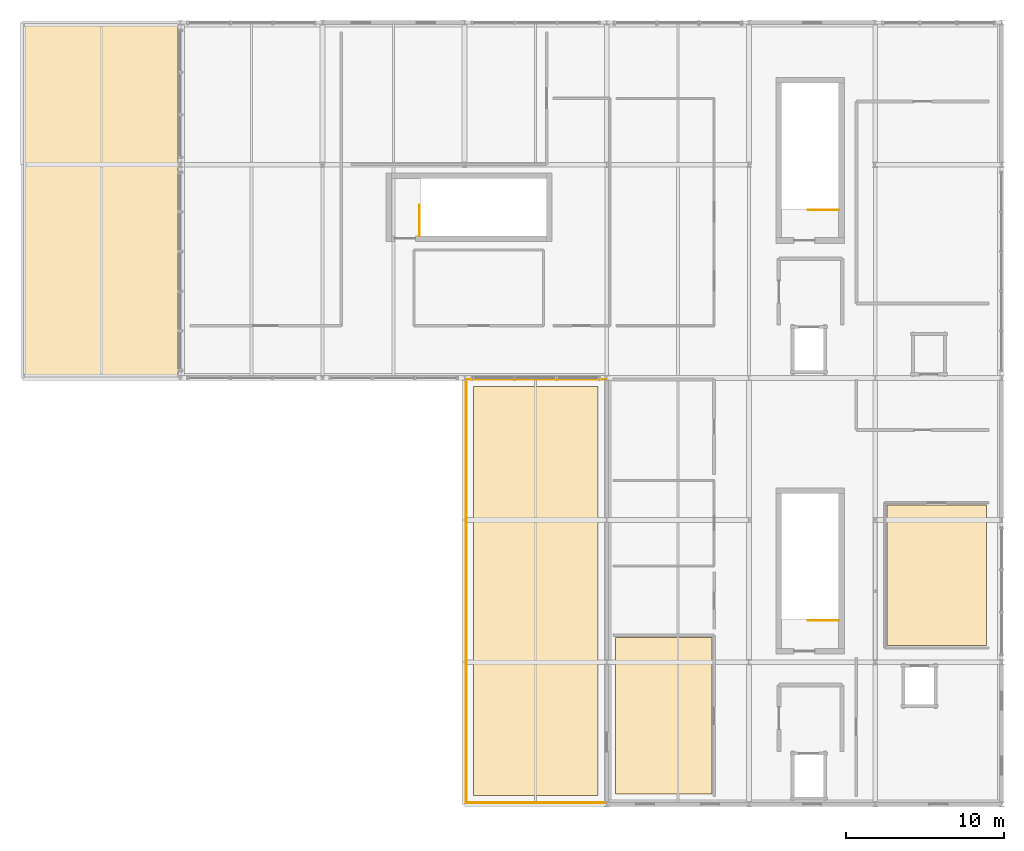
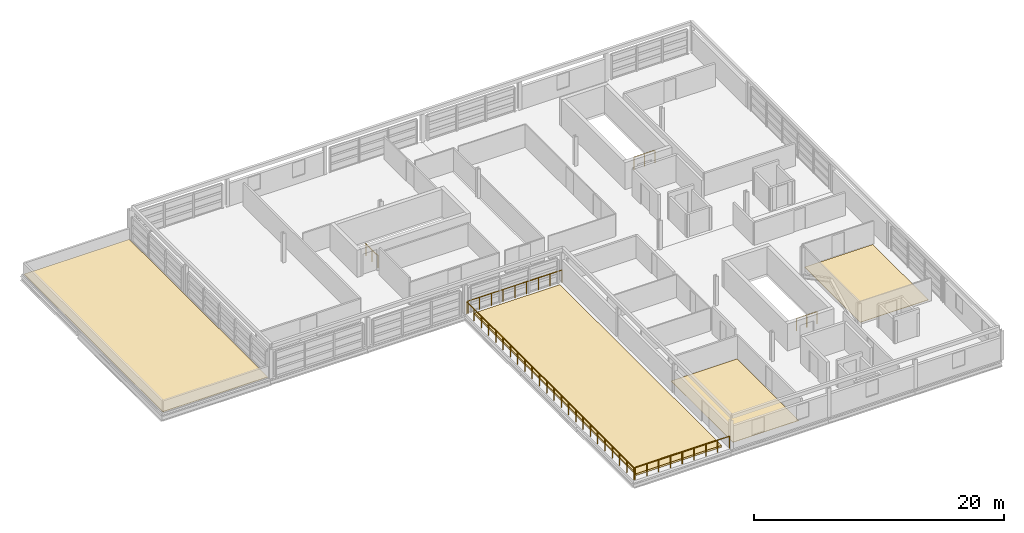
# One storey, part 27 of 27: 6 railings, 4 coverings.
"""IFC4 building model written with IfcOpenShell, lengths in metres."""

from ifc_helpers import new_model, si_unit, direction, frame, origin, origin_2d, place, context, subcontext, project, spatial, polyline, circle, outline, extrude, material, layer, layer_set, type_object, element, save


model = new_model("IFC4")

# Units and contexts
model_context = context("Model", 3, precision=1e-05, world=origin(), true_north=direction((0.0, 1.0)))
body_context = subcontext(model_context, "Body", "Model", "MODEL_VIEW")
ifc_project = project(units=[si_unit("LENGTHUNIT", "METRE"), si_unit("AREAUNIT", "SQUARE_METRE"), si_unit("VOLUMEUNIT", "CUBIC_METRE"), si_unit("PLANEANGLEUNIT", "RADIAN"), si_unit("MASSUNIT", "GRAM", prefix="KILO")], contexts=[model_context])

# Site, building, storey
site_placement = place(None, origin())
site = spatial("IfcSite", under=ifc_project, at=site_placement, CompositionType="ELEMENT")
building_placement = place(site_placement, origin())
building = spatial("IfcBuilding", under=site, at=building_placement, Name="Chuanluo Vaults Station", CompositionType="ELEMENT")
storey_placement = place(building_placement, frame((0.0, 0.0, 20.800048828125)))
storey = spatial("IfcBuildingStorey", under=building, at=storey_placement, Name="L05", CompositionType="ELEMENT", Elevation=20.800048828125)

# Coverings
ifc_material_1 = material(Name="Granite stone flooring", Category="masonry")
ifc_layer_1 = layer(ifc_material_1, 0.034912109375)
ifc_layer_set_1 = layer_set([ifc_layer_1], Name="Granite stone flooring")
covering_type_1 = type_object("IfcCoveringType", Name="COV-FLOR-GRAN", PredefinedType="FLOORING", material=ifc_layer_set_1)
covering_1_placement = place(storey_placement, origin())
element("IfcCovering", 1, at=covering_1_placement, inside=storey, type_object=covering_type_1, Name="L05-04 granite floor finish", PredefinedType="FLOORING", context=body_context, shape_type="SweptSolid", body=[
    extrude(outline(polyline([(163.550048828125, 77.14990234375), (169.64990234375, 77.14990234375), (169.64990234375, 87.050048828125), (163.550048828125, 87.050048828125), (163.550048828125, 77.14990234375)])), origin(), (0.0, 0.0, 1.0), 0.034912109375),
])
covering_2_placement = place(storey_placement, origin())
element("IfcCovering", 2, at=covering_2_placement, inside=storey, type_object=covering_type_1, Name="L05-08 granite floor finish", PredefinedType="FLOORING", context=body_context, shape_type="SweptSolid", body=[
    extrude(outline(polyline([(180.75, 86.550048828125), (187.050048828125, 86.550048828125), (187.050048828125, 95.449951171875), (180.75, 95.449951171875), (180.75, 86.550048828125)])), origin(), (0.0, 0.0, 1.0), 0.034912109375),
])
ifc_material_2 = material(Name="Planted roof garden substrate")
ifc_layer_2 = layer(ifc_material_2, 0.179931640625)
ifc_layer_set_2 = layer_set([ifc_layer_2], Name="Planted roof garden substrate")
covering_type_2 = type_object("IfcCoveringType", Name="COV-ROOF-GRN", PredefinedType="ROOFING", material=ifc_layer_set_2)
covering_3_placement = place(storey_placement, origin())
element("IfcCovering", 3, at=covering_3_placement, inside=storey, type_object=covering_type_2, Name="Planted roof garden substrate TER:L05:OPS", PredefinedType="ROOFING", context=body_context, shape_type="SweptSolid", body=[
    extrude(outline(polyline([(154.550048828125, 77.050048828125), (162.449951171875, 77.050048828125), (162.449951171875, 102.949951171875), (154.550048828125, 102.949951171875), (154.550048828125, 77.050048828125)])), origin(), (0.0, 0.0, 1.0), 0.179931640625),
])
ifc_material_3 = material(Name="TPO waterproof roofing membrane")
ifc_layer_3 = layer(ifc_material_3, 0.044921875)
ifc_layer_set_3 = layer_set([ifc_layer_3], Name="TPO waterproof roofing membrane")
covering_type_3 = type_object("IfcCoveringType", Name="COV-ROOF-TPO", PredefinedType="ROOFING", material=ifc_layer_set_3)
covering_4_placement = place(storey_placement, origin())
element("IfcCovering", 4, at=covering_4_placement, inside=storey, type_object=covering_type_3, Name="Waterproof TPO roof membrane ROOF:L05:N1", PredefinedType="ROOFING", context=body_context, shape_type="SweptSolid", body=[
    extrude(outline(polyline([(126.14990234375, 103.64990234375), (135.85009765625, 103.64990234375), (135.85009765625, 125.85009765625), (126.14990234375, 125.85009765625), (126.14990234375, 103.64990234375)])), origin(), (0.0, 0.0, 1.0), 0.044921875),
])

# Railings
ifc_material_4 = material(Name="Tempered laminated balustrade glass", Category="glass")
railing_type = type_object("IfcRailingType", Name="RLG-GUARD-1200", PredefinedType="BALUSTRADE", material=ifc_material_4)
railing_1_placement = place(storey_placement, frame((162.89990234375, 76.60009765625, 0.0)))
element("IfcRailing", 5, at=railing_1_placement, inside=storey, type_object=railing_type, Name="Planted terrace perimeter balustrade TER-OPS-L05-S", PredefinedType="BALUSTRADE", context=body_context, shape_type="SweptSolid", body=[
    extrude(circle(Radius=0.02392578125, at=origin_2d()), frame((0.0, 0.0, 1.17578125), z_axis=(-1.0, 0.0, 0.0), x_axis=(0.0, -1.0, 0.0)), (0.0, 0.0, 1.0), 8.699951171875),
    extrude(circle(Radius=0.02099609375, at=origin_2d()), origin(), (0.0, 0.0, 1.0), 1.15185546875),
    extrude(circle(Radius=0.02099609375, at=origin_2d()), frame((-1.08740234375, 0.0, 0.0)), (0.0, 0.0, 1.0), 1.15185546875),
    extrude(circle(Radius=0.02099609375, at=origin_2d()), frame((-2.175048828125, 0.0, 0.0)), (0.0, 0.0, 1.0), 1.15185546875),
    extrude(circle(Radius=0.02099609375, at=origin_2d()), frame((-3.262451171875, 0.0, 0.0)), (0.0, 0.0, 1.0), 1.15185546875),
    extrude(circle(Radius=0.02099609375, at=origin_2d()), frame((-4.35009765625, 0.0, 0.0)), (0.0, 0.0, 1.0), 1.15185546875),
    extrude(circle(Radius=0.02099609375, at=origin_2d()), frame((-5.4375, 0.0, 0.0)), (0.0, 0.0, 1.0), 1.15185546875),
    extrude(circle(Radius=0.02099609375, at=origin_2d()), frame((-6.52490234375, 0.0, 0.0)), (0.0, 0.0, 1.0), 1.15185546875),
    extrude(circle(Radius=0.02099609375, at=origin_2d()), frame((-7.612548828125, 0.0, 0.0)), (0.0, 0.0, 1.0), 1.15185546875),
    extrude(circle(Radius=0.02099609375, at=origin_2d()), frame((-8.699951171875, 0.0, 0.0)), (0.0, 0.0, 1.0), 1.15185546875),
])
railing_2_placement = place(storey_placement, frame((154.10009765625, 76.60009765625, 0.0)))
element("IfcRailing", 6, at=railing_2_placement, inside=storey, type_object=railing_type, Name="Planted terrace perimeter balustrade TER-OPS-L05-W", PredefinedType="BALUSTRADE", context=body_context, shape_type="SweptSolid", body=[
    extrude(circle(Radius=0.02392578125, at=origin_2d()), frame((0.0, 0.0, 1.17578125), z_axis=(0.0, 1.0, 0.0), x_axis=(-1.0, 0.0, 0.0)), (0.0, 0.0, 1.0), 26.7998046875),
    extrude(circle(Radius=0.02099609375, at=origin_2d()), origin(), (0.0, 0.0, 1.0), 1.15185546875),
    extrude(circle(Radius=0.02099609375, at=origin_2d()), frame((0.0, 1.165283203125, 0.0)), (0.0, 0.0, 1.0), 1.15185546875),
    extrude(circle(Radius=0.02099609375, at=origin_2d()), frame((0.0, 2.330322265625, 0.0)), (0.0, 0.0, 1.0), 1.15185546875),
    extrude(circle(Radius=0.02099609375, at=origin_2d()), frame((0.0, 3.49560546875, 0.0)), (0.0, 0.0, 1.0), 1.15185546875),
    extrude(circle(Radius=0.02099609375, at=origin_2d()), frame((0.0, 4.660888671875, 0.0)), (0.0, 0.0, 1.0), 1.15185546875),
    extrude(circle(Radius=0.02099609375, at=origin_2d()), frame((0.0, 5.825927734375, 0.0)), (0.0, 0.0, 1.0), 1.15185546875),
    extrude(circle(Radius=0.02099609375, at=origin_2d()), frame((0.0, 6.9912109375, 0.0)), (0.0, 0.0, 1.0), 1.15185546875),
    extrude(circle(Radius=0.02099609375, at=origin_2d()), frame((0.0, 8.156494140625, 0.0)), (0.0, 0.0, 1.0), 1.15185546875),
    extrude(circle(Radius=0.02099609375, at=origin_2d()), frame((0.0, 9.32177734375, 0.0)), (0.0, 0.0, 1.0), 1.15185546875),
    extrude(circle(Radius=0.02099609375, at=origin_2d()), frame((0.0, 10.48681640625, 0.0)), (0.0, 0.0, 1.0), 1.15185546875),
    extrude(circle(Radius=0.02099609375, at=origin_2d()), frame((0.0, 11.652099609375, 0.0)), (0.0, 0.0, 1.0), 1.15185546875),
    extrude(circle(Radius=0.02099609375, at=origin_2d()), frame((0.0, 12.8173828125, 0.0)), (0.0, 0.0, 1.0), 1.15185546875),
    extrude(circle(Radius=0.02099609375, at=origin_2d()), frame((0.0, 13.982421875, 0.0)), (0.0, 0.0, 1.0), 1.15185546875),
    extrude(circle(Radius=0.02099609375, at=origin_2d()), frame((0.0, 15.147705078125, 0.0)), (0.0, 0.0, 1.0), 1.15185546875),
    extrude(circle(Radius=0.02099609375, at=origin_2d()), frame((0.0, 16.31298828125, 0.0)), (0.0, 0.0, 1.0), 1.15185546875),
    extrude(circle(Radius=0.02099609375, at=origin_2d()), frame((0.0, 17.47802734375, 0.0)), (0.0, 0.0, 1.0), 1.15185546875),
    extrude(circle(Radius=0.02099609375, at=origin_2d()), frame((0.0, 18.643310546875, 0.0)), (0.0, 0.0, 1.0), 1.15185546875),
    extrude(circle(Radius=0.02099609375, at=origin_2d()), frame((0.0, 19.80859375, 0.0)), (0.0, 0.0, 1.0), 1.15185546875),
    extrude(circle(Radius=0.02099609375, at=origin_2d()), frame((0.0, 20.973876953125, 0.0)), (0.0, 0.0, 1.0), 1.15185546875),
    extrude(circle(Radius=0.02099609375, at=origin_2d()), frame((0.0, 22.138916015625, 0.0)), (0.0, 0.0, 1.0), 1.15185546875),
    extrude(circle(Radius=0.02099609375, at=origin_2d()), frame((0.0, 23.30419921875, 0.0)), (0.0, 0.0, 1.0), 1.15185546875),
    extrude(circle(Radius=0.02099609375, at=origin_2d()), frame((0.0, 24.469482421875, 0.0)), (0.0, 0.0, 1.0), 1.15185546875),
    extrude(circle(Radius=0.02099609375, at=origin_2d()), frame((0.0, 25.634521484375, 0.0)), (0.0, 0.0, 1.0), 1.15185546875),
    extrude(circle(Radius=0.02099609375, at=origin_2d()), frame((0.0, 26.7998046875, 0.0)), (0.0, 0.0, 1.0), 1.15185546875),
])
railing_3_placement = place(storey_placement, frame((154.199951171875, 103.39990234375, 0.0)))
element("IfcRailing", 7, at=railing_3_placement, inside=storey, type_object=railing_type, Name="Planted terrace perimeter balustrade TER-OPS-L05-N", PredefinedType="BALUSTRADE", context=body_context, shape_type="SweptSolid", body=[
    extrude(circle(Radius=0.02392578125, at=origin_2d()), frame((0.0, 0.0, 1.17578125), z_axis=(1.0, 0.0, 0.0), x_axis=(0.0, 1.0, 0.0)), (0.0, 0.0, 1.0), 8.699951171875),
    extrude(circle(Radius=0.02099609375, at=origin_2d()), origin(), (0.0, 0.0, 1.0), 1.15185546875),
    extrude(circle(Radius=0.02099609375, at=origin_2d()), frame((1.08740234375, 0.0, 0.0)), (0.0, 0.0, 1.0), 1.15185546875),
    extrude(circle(Radius=0.02099609375, at=origin_2d()), frame((2.175048828125, 0.0, 0.0)), (0.0, 0.0, 1.0), 1.15185546875),
    extrude(circle(Radius=0.02099609375, at=origin_2d()), frame((3.262451171875, 0.0, 0.0)), (0.0, 0.0, 1.0), 1.15185546875),
    extrude(circle(Radius=0.02099609375, at=origin_2d()), frame((4.35009765625, 0.0, 0.0)), (0.0, 0.0, 1.0), 1.15185546875),
    extrude(circle(Radius=0.02099609375, at=origin_2d()), frame((5.4375, 0.0, 0.0)), (0.0, 0.0, 1.0), 1.15185546875),
    extrude(circle(Radius=0.02099609375, at=origin_2d()), frame((6.52490234375, 0.0, 0.0)), (0.0, 0.0, 1.0), 1.15185546875),
    extrude(circle(Radius=0.02099609375, at=origin_2d()), frame((7.612548828125, 0.0, 0.0)), (0.0, 0.0, 1.0), 1.15185546875),
    extrude(circle(Radius=0.02099609375, at=origin_2d()), frame((8.699951171875, 0.0, 0.0)), (0.0, 0.0, 1.0), 1.15185546875),
])
for number, where, name in (
    (8, (177.6875, 88.137451171875, 0.0), "L05 ST-01 top well guard 1"),
    (9, (177.6875, 114.137451171875, 0.0), "L05 ST-02 top well guard 1"),
):
    element("IfcRailing", number, at=place(storey_placement, frame(where)), inside=storey, type_object=railing_type, Name=name, PredefinedType="BALUSTRADE", context=body_context, shape_type="SweptSolid", body=[
        extrude(circle(Radius=0.02392578125, at=origin_2d()), frame((0.0, 0.0, 1.17578125), z_axis=(-1.0, 0.0, 0.0), x_axis=(0.0, -1.0, 0.0)), (0.0, 0.0, 1.0), 1.93505859375),
        extrude(circle(Radius=0.02099609375, at=origin_2d()), origin(), (0.0, 0.0, 1.0), 1.15185546875),
        extrude(circle(Radius=0.02099609375, at=origin_2d()), frame((-0.967529296875, 0.0, 0.0)), (0.0, 0.0, 1.0), 1.15185546875),
        extrude(circle(Radius=0.02099609375, at=origin_2d()), frame((-1.93505859375, 0.0, 0.0)), (0.0, 0.0, 1.0), 1.15185546875),
    ])
railing_4_placement = place(storey_placement, frame((151.137451171875, 112.5, 0.0)))
element("IfcRailing", 10, at=railing_4_placement, inside=storey, type_object=railing_type, Name="L05 ST-03 top well guard 1", PredefinedType="BALUSTRADE", context=body_context, shape_type="SweptSolid", body=[
    extrude(circle(Radius=0.02392578125, at=origin_2d()), frame((0.0, 0.0, 1.17578125), z_axis=(0.0, 1.0, 0.0), x_axis=(-1.0, 0.0, 0.0)), (0.0, 0.0, 1.0), 1.93505859375),
    extrude(circle(Radius=0.02099609375, at=origin_2d()), origin(), (0.0, 0.0, 1.0), 1.15185546875),
    extrude(circle(Radius=0.02099609375, at=origin_2d()), frame((0.0, 0.967529296875, 0.0)), (0.0, 0.0, 1.0), 1.15185546875),
    extrude(circle(Radius=0.02099609375, at=origin_2d()), frame((0.0, 1.93505859375, 0.0)), (0.0, 0.0, 1.0), 1.15185546875),
])

save(model, "model.ifc")
